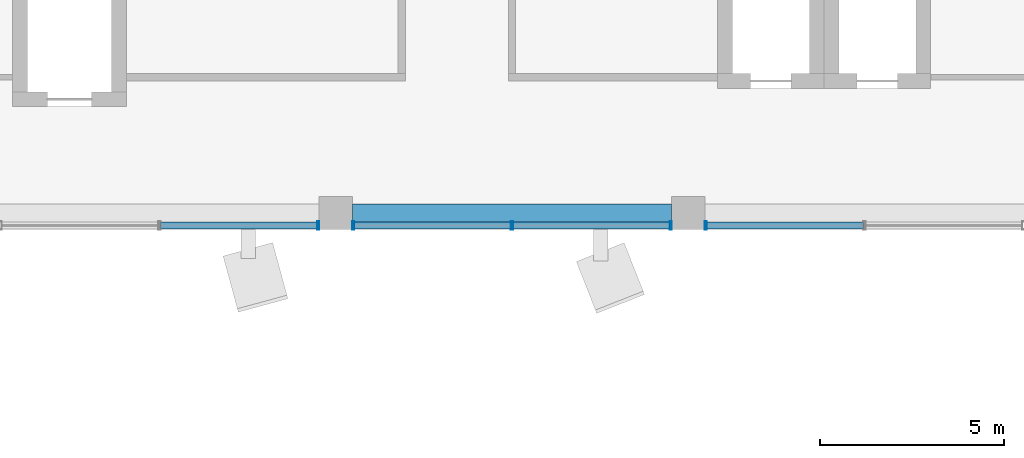
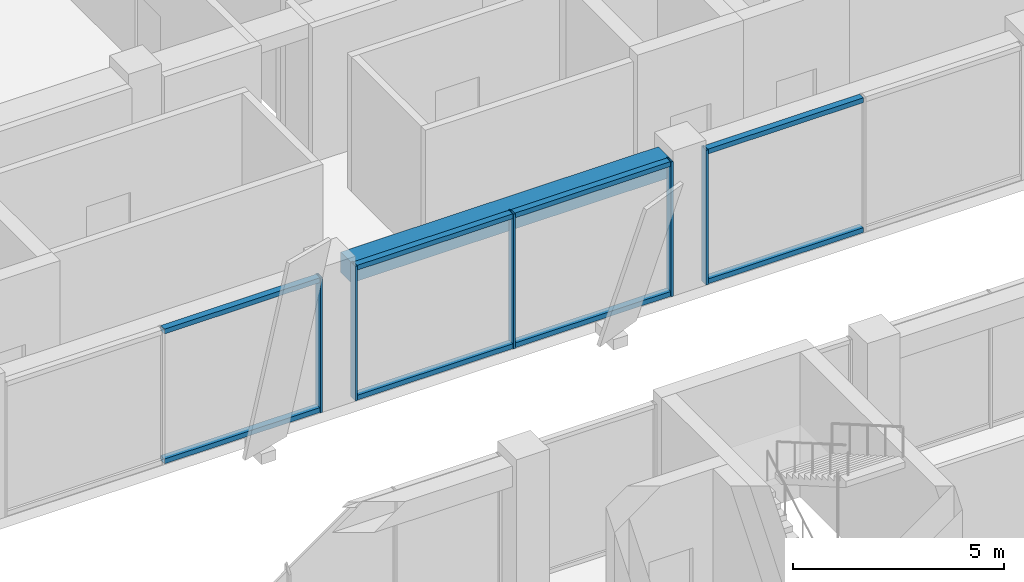
# One storey, part 10 of 36: 13 members, 1 beam, 3 elements without a shape of their own.
"""IFC4 building model written with IfcOpenShell, lengths in metres."""

from ifc_helpers import new_model, si_unit, direction, frame, origin, origin_2d, place, context, subcontext, project, spatial, rectangle, hollow_rectangle, extrude, material, layer, layer_set, material_profile, profile_set, type_object, element, aggregate, save


model = new_model("IFC4")

# Units and contexts
model_context = context("Model", 3, precision=1e-05, world=origin(), true_north=direction((0.0, 1.0)))
body_context = subcontext(model_context, "Body", "Model", "MODEL_VIEW")
ifc_project = project(units=[si_unit("LENGTHUNIT", "METRE"), si_unit("AREAUNIT", "SQUARE_METRE"), si_unit("VOLUMEUNIT", "CUBIC_METRE"), si_unit("PLANEANGLEUNIT", "RADIAN"), si_unit("MASSUNIT", "GRAM", prefix="KILO")], contexts=[model_context])

# Site, building, storey
site_placement = place(None, origin())
site = spatial("IfcSite", under=ifc_project, at=site_placement, CompositionType="ELEMENT")
building_placement = place(site_placement, origin())
building = spatial("IfcBuilding", under=site, at=building_placement, Name="Nzadi Deep Aquarium and Research Tower", CompositionType="ELEMENT")
storey_placement = place(building_placement, frame((0.0, 0.0, 40.300048828125)))
storey = spatial("IfcBuildingStorey", under=building, at=storey_placement, Name="L07", CompositionType="ELEMENT", Elevation=40.300048828125)

# Curtain wall, member
ifc_material_1 = material(Name="Aluminium unitised frame deep", Category="aluminium")
ifc_layer = layer(ifc_material_1, 0.22509765625)
ifc_layer_set = layer_set([ifc_layer], Name="Aluminium unitised frame deep")
curtain_wall_type = type_object("IfcCurtainWallType", Name="Curtain wall Unitised Deep 225", PredefinedType="NOTDEFINED", material=ifc_layer_set)
curtain_wall_1_placement = place(storey_placement, origin())
curtain_wall_1 = element("IfcCurtainWall", 1, at=curtain_wall_1_placement, inside=storey, type_object=curtain_wall_type, Name="Unitised curtain wall blade B south L07", PredefinedType="NOTDEFINED")
ifc_material_2 = material(Name="Aluminium unitised frame deep", Category="aluminium")
ifc_material_profile_1 = material_profile(ifc_material_2, hollow_rectangle(XDim=0.22509765625, YDim=0.06005859375, WallThickness=0.0048828125, at=origin_2d()))
ifc_profile_set_1 = profile_set([ifc_material_profile_1], Name="Aluminium unitised frame deep")
member_type_1 = type_object("IfcMemberType", Name="Mullion 60x225 Unitised Deep", PredefinedType="MULLION", material=ifc_profile_set_1)
member_1_placement = place(storey_placement, frame((18.719970703125, 27.262451171875, 0.0), z_axis=(0.0, 0.0, 1.0), x_axis=(0.0, 1.0, 0.0)))
member_1 = element("IfcMember", 2, at=member_1_placement, type_object=member_type_1, Name="CW099 mullion 3", PredefinedType="MULLION", context=body_context, shape_type="SweptSolid", body=[
    extrude(hollow_rectangle(XDim=0.22509765625, YDim=0.06005859375, WallThickness=0.0048828125, at=origin_2d()), origin(), (0.0, 0.0, 1.0), 3.89990234375),
])

# Curtain wall, members
curtain_wall_2_placement = place(storey_placement, origin())
curtain_wall_2 = element("IfcCurtainWall", 3, at=curtain_wall_2_placement, inside=storey, type_object=curtain_wall_type, Name="Unitised curtain wall blade B south L07", PredefinedType="NOTDEFINED")
member_2_placement = place(storey_placement, frame((19.679931640625, 27.262451171875, 0.0), z_axis=(0.0, 0.0, 1.0), x_axis=(0.0, 1.0, 0.0)))
member_2 = element("IfcMember", 4, at=member_2_placement, type_object=member_type_1, Name="CW100 mullion 1", PredefinedType="MULLION", context=body_context, shape_type="SweptSolid", body=[
    extrude(hollow_rectangle(XDim=0.22509765625, YDim=0.06005859375, WallThickness=0.0048828125, at=origin_2d()), origin(), (0.0, 0.0, 1.0), 3.89990234375),
])
member_3_placement = place(storey_placement, frame((24.0, 27.262451171875, 0.0), z_axis=(0.0, 0.0, 1.0), x_axis=(0.0, 1.0, 0.0)))
member_3 = element("IfcMember", 5, at=member_3_placement, type_object=member_type_1, Name="CW100 mullion 2", PredefinedType="MULLION", context=body_context, shape_type="SweptSolid", body=[
    extrude(hollow_rectangle(XDim=0.22509765625, YDim=0.06005859375, WallThickness=0.0048828125, at=origin_2d()), origin(), (0.0, 0.0, 1.0), 3.89990234375),
])
member_4_placement = place(storey_placement, frame((28.320068359375, 27.262451171875, 0.0), z_axis=(0.0, 0.0, 1.0), x_axis=(0.0, 1.0, 0.0)))
member_4 = element("IfcMember", 6, at=member_4_placement, type_object=member_type_1, Name="CW100 mullion 3", PredefinedType="MULLION", context=body_context, shape_type="SweptSolid", body=[
    extrude(hollow_rectangle(XDim=0.22509765625, YDim=0.06005859375, WallThickness=0.0048828125, at=origin_2d()), origin(), (0.0, 0.0, 1.0), 3.89990234375),
])

# Curtain wall, member
curtain_wall_3_placement = place(storey_placement, origin())
curtain_wall_3 = element("IfcCurtainWall", 7, at=curtain_wall_3_placement, inside=storey, type_object=curtain_wall_type, Name="Unitised curtain wall blade B south L07", PredefinedType="NOTDEFINED")
member_5_placement = place(storey_placement, frame((29.280029296875, 27.262451171875, 0.0), z_axis=(0.0, 0.0, 1.0), x_axis=(0.0, 1.0, 0.0)))
member_5 = element("IfcMember", 8, at=member_5_placement, type_object=member_type_1, Name="CW101 mullion 1", PredefinedType="MULLION", context=body_context, shape_type="SweptSolid", body=[
    extrude(hollow_rectangle(XDim=0.22509765625, YDim=0.06005859375, WallThickness=0.0048828125, at=origin_2d()), origin(), (0.0, 0.0, 1.0), 3.89990234375),
])

# Beam
ifc_material_3 = material(Name="Concrete C35/45", Category="concrete")
ifc_material_profile_2 = material_profile(ifc_material_3, rectangle(XDim=0.5, YDim=0.60009765625, at=origin_2d()))
ifc_profile_set_2 = profile_set([ifc_material_profile_2], Name="Concrete C35/45")
beam_type = type_object("IfcBeamType", Name="RC 500x600", PredefinedType="BEAM", material=ifc_profile_set_2)
beam_placement = place(storey_placement, frame((19.64990234375, 27.60009765625, 3.599853515625), z_axis=(1.0, 0.0, 0.0), x_axis=(0.0, 1.0, 0.0)))
element("IfcBeam", 9, at=beam_placement, inside=storey, type_object=beam_type, Name="B-Z1-L07-L4-3", PredefinedType="BEAM", context=body_context, shape_type="SweptSolid", body=[
    extrude(rectangle(XDim=0.5, YDim=0.60009765625, at=origin_2d()), origin(), (0.0, 0.0, 1.0), 8.7001953125),
])

# Member
ifc_material_4 = material(Name="Aluminium unitised frame deep", Category="aluminium")
ifc_material_profile_3 = material_profile(ifc_material_4, hollow_rectangle(XDim=0.179931640625, YDim=0.139892578125, WallThickness=0.0048828125, at=origin_2d()))
ifc_profile_set_3 = profile_set([ifc_material_profile_3], Name="Aluminium unitised frame deep")
member_type_2 = type_object("IfcMemberType", Name="Transom 140x180 Unitised Deep", PredefinedType="MULLION", material=ifc_profile_set_3)
member_6_placement = place(storey_placement, frame((14.429931640625, 27.262451171875, 0.070068359375), z_axis=(1.0, 0.0, 0.0), x_axis=(0.0, 1.0, 0.0)))
member_6 = element("IfcMember", 10, at=member_6_placement, type_object=member_type_2, Name="CW099 transom 2.1", PredefinedType="MULLION", context=body_context, shape_type="SweptSolid", body=[
    extrude(hollow_rectangle(XDim=0.179931640625, YDim=0.139892578125, WallThickness=0.0048828125, at=origin_2d()), origin(), (0.0, 0.0, 1.0), 4.260009765625),
])

member_7_placement = place(storey_placement, frame((14.429931640625, 27.262451171875, 3.829833984375), z_axis=(1.0, 0.0, 0.0), x_axis=(0.0, 1.0, 0.0)))
member_7 = element("IfcMember", 11, at=member_7_placement, type_object=member_type_2, Name="CW099 transom 2.2", PredefinedType="MULLION", context=body_context, shape_type="SweptSolid", body=[
    extrude(hollow_rectangle(XDim=0.179931640625, YDim=0.139892578125, WallThickness=0.0048828125, at=origin_2d()), origin(), (0.0, 0.0, 1.0), 4.260009765625),
])

aggregate(curtain_wall_1, [member_1, member_6, member_7])

member_8_placement = place(storey_placement, frame((19.7099609375, 27.262451171875, 0.070068359375), z_axis=(1.0, 0.0, 0.0), x_axis=(0.0, 1.0, 0.0)))
member_8 = element("IfcMember", 12, at=member_8_placement, type_object=member_type_2, Name="CW100 transom 1.1", PredefinedType="MULLION", context=body_context, shape_type="SweptSolid", body=[
    extrude(hollow_rectangle(XDim=0.179931640625, YDim=0.139892578125, WallThickness=0.0048828125, at=origin_2d()), origin(), (0.0, 0.0, 1.0), 4.260009765625),
])

member_9_placement = place(storey_placement, frame((19.7099609375, 27.262451171875, 3.829833984375), z_axis=(1.0, 0.0, 0.0), x_axis=(0.0, 1.0, 0.0)))
member_9 = element("IfcMember", 13, at=member_9_placement, type_object=member_type_2, Name="CW100 transom 1.2", PredefinedType="MULLION", context=body_context, shape_type="SweptSolid", body=[
    extrude(hollow_rectangle(XDim=0.179931640625, YDim=0.139892578125, WallThickness=0.0048828125, at=origin_2d()), origin(), (0.0, 0.0, 1.0), 4.260009765625),
])

member_10_placement = place(storey_placement, frame((24.030029296875, 27.262451171875, 0.070068359375), z_axis=(1.0, 0.0, 0.0), x_axis=(0.0, 1.0, 0.0)))
member_10 = element("IfcMember", 14, at=member_10_placement, type_object=member_type_2, Name="CW100 transom 2.1", PredefinedType="MULLION", context=body_context, shape_type="SweptSolid", body=[
    extrude(hollow_rectangle(XDim=0.179931640625, YDim=0.139892578125, WallThickness=0.0048828125, at=origin_2d()), origin(), (0.0, 0.0, 1.0), 4.260009765625),
])

member_11_placement = place(storey_placement, frame((24.030029296875, 27.262451171875, 3.829833984375), z_axis=(1.0, 0.0, 0.0), x_axis=(0.0, 1.0, 0.0)))
member_11 = element("IfcMember", 15, at=member_11_placement, type_object=member_type_2, Name="CW100 transom 2.2", PredefinedType="MULLION", context=body_context, shape_type="SweptSolid", body=[
    extrude(hollow_rectangle(XDim=0.179931640625, YDim=0.139892578125, WallThickness=0.0048828125, at=origin_2d()), origin(), (0.0, 0.0, 1.0), 4.260009765625),
])

aggregate(curtain_wall_2, [member_2, member_3, member_4, member_8, member_9, member_10, member_11])

member_12_placement = place(storey_placement, frame((29.31005859375, 27.262451171875, 0.070068359375), z_axis=(1.0, 0.0, 0.0), x_axis=(0.0, 1.0, 0.0)))
member_12 = element("IfcMember", 16, at=member_12_placement, type_object=member_type_2, Name="CW101 transom 1.1", PredefinedType="MULLION", context=body_context, shape_type="SweptSolid", body=[
    extrude(hollow_rectangle(XDim=0.179931640625, YDim=0.139892578125, WallThickness=0.0048828125, at=origin_2d()), origin(), (0.0, 0.0, 1.0), 4.260009765625),
])

member_13_placement = place(storey_placement, frame((29.31005859375, 27.262451171875, 3.829833984375), z_axis=(1.0, 0.0, 0.0), x_axis=(0.0, 1.0, 0.0)))
member_13 = element("IfcMember", 17, at=member_13_placement, type_object=member_type_2, Name="CW101 transom 1.2", PredefinedType="MULLION", context=body_context, shape_type="SweptSolid", body=[
    extrude(hollow_rectangle(XDim=0.179931640625, YDim=0.139892578125, WallThickness=0.0048828125, at=origin_2d()), origin(), (0.0, 0.0, 1.0), 4.260009765625),
])

aggregate(curtain_wall_3, [member_5, member_12, member_13])

save(model, "model.ifc")
